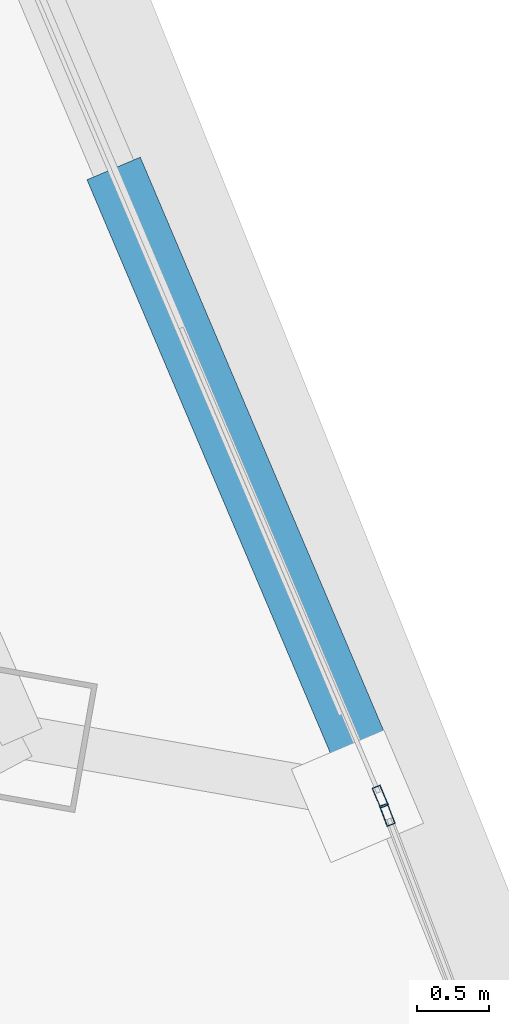
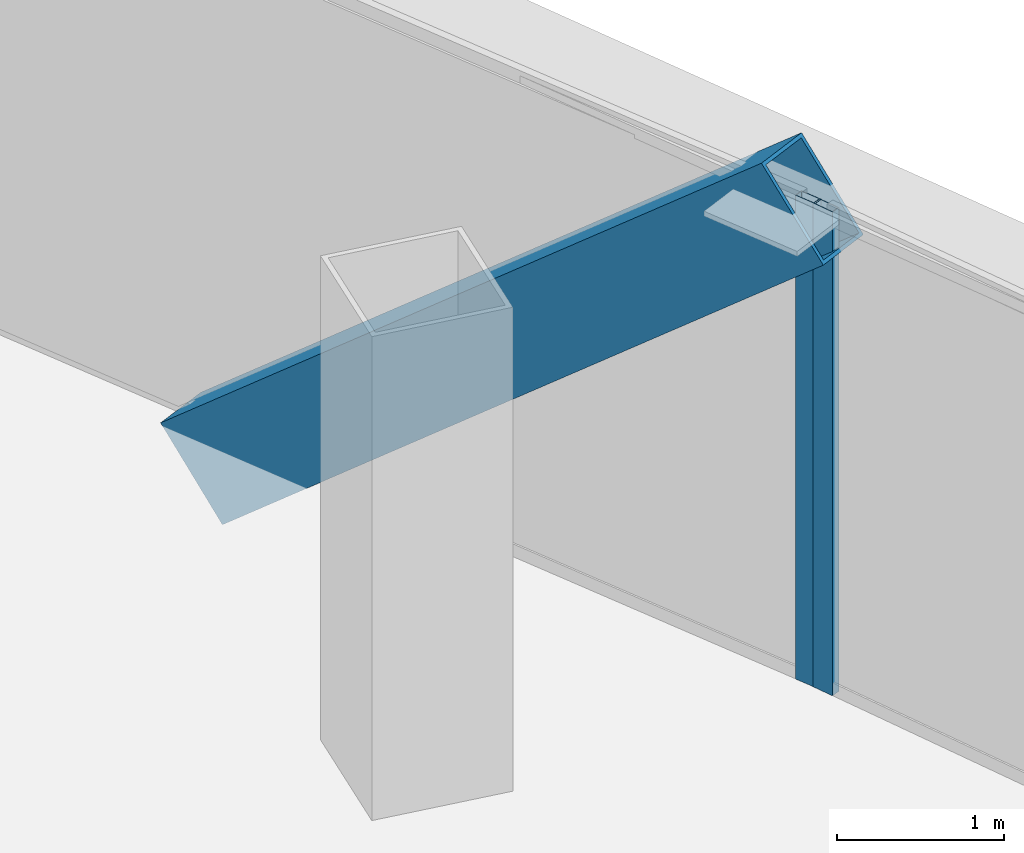
# One storey, part 25 of 40: 3 members, 2 elements without a shape of their own.
"""IFC4 building model written with IfcOpenShell, lengths in metres."""

from ifc_helpers import new_model, si_unit, direction, frame, origin, origin_2d, place, context, subcontext, project, spatial, hollow_rectangle, extrude, source, transform, mapped, material, layer, layer_set, material_profile, profile_set, type_object, element, aggregate, save


model = new_model("IFC4")

# Units and contexts
model_context = context("Model", 3, precision=1e-05, world=origin(), true_north=direction((0.0, 1.0)))
body_context = subcontext(model_context, "Body", "Model", "MODEL_VIEW")
ifc_project = project(units=[si_unit("LENGTHUNIT", "METRE"), si_unit("AREAUNIT", "SQUARE_METRE"), si_unit("VOLUMEUNIT", "CUBIC_METRE"), si_unit("PLANEANGLEUNIT", "RADIAN"), si_unit("MASSUNIT", "GRAM", prefix="KILO"), si_unit("THERMODYNAMICTEMPERATUREUNIT", "KELVIN"), si_unit("POWERUNIT", "WATT")], contexts=[model_context])

# Site, building, storey
site_placement = place(None, origin())
site = spatial("IfcSite", under=ifc_project, at=site_placement, CompositionType="ELEMENT")
building_placement = place(site_placement, origin())
building = spatial("IfcBuilding", under=site, at=building_placement, Name="Yunzhuo Pagoda Commons", CompositionType="ELEMENT")
storey_placement = place(building_placement, frame((0.0, 0.0, 188.56005859375)))
storey = spatial("IfcBuildingStorey", under=building, at=storey_placement, Name="L47", CompositionType="ELEMENT", Elevation=188.56005859375)

# Member
ifc_material_1 = material(Name="Structural steel Q355B", Category="steel")
ifc_material_profile_1 = material_profile(ifc_material_1, hollow_rectangle(XDim=0.39990234375, YDim=0.719970703125, WallThickness=0.02392578125, at=origin_2d()), Name="Structural steel Q355B")
ifc_profile_set_1 = profile_set([ifc_material_profile_1], Name="Structural steel Q355B")
member_type_1 = type_object("IfcMemberType", Name="M-DL2 Brace BOX 720x400x24", PredefinedType="BRACE", material=ifc_profile_set_1)
shared_shape_1 = source(origin(), body_context, "Body", "SweptSolid", [
    extrude(hollow_rectangle(XDim=0.39990234375, YDim=0.719970703125, WallThickness=0.02392578125, at=origin_2d()), origin(), (0.0, 0.0, 1.0), 5.89697265625),
])
member_1_placement = place(storey_placement, frame((83.930419921875, 31.20458984375, -0.260009765625), z_axis=(0.29878939994, -0.703895992486, 0.644403077464), x_axis=(0.920503311686, 0.390734760642, 0.0)))
element("IfcMember", 1, at=member_1_placement, inside=storey, type_object=member_type_1, Name="L47 facade diamond brace F2.1L", PredefinedType="BRACE", context=body_context, shape_type="MappedRepresentation", body=[
    mapped(shared_shape_1, transform((0.0, 0.0, 0.0), scale=1.0)),
])

# Curtain wall, member
ifc_material_2 = material(Name="Anodized aluminium 6063-T6", Category="aluminium")
ifc_layer = layer(ifc_material_2, 0.14990234375)
ifc_layer_set = layer_set([ifc_layer], Name="Anodized aluminium 6063-T6")
curtain_wall_type = type_object("IfcCurtainWallType", Name="CW-MID Mid-Zone Ribbon Curtain Wall", PredefinedType="NOTDEFINED", material=ifc_layer_set)
curtain_wall_1_placement = place(storey_placement, origin())
curtain_wall_1 = element("IfcCurtainWall", 2, at=curtain_wall_1_placement, inside=storey, type_object=curtain_wall_type, Name="L47 curtain wall CW-L47-F2B2", PredefinedType="NOTDEFINED")
ifc_material_profile_2 = material_profile(ifc_material_2, hollow_rectangle(XDim=0.06005859375, YDim=0.14990234375, WallThickness=0.00390625, at=origin_2d()), Name="Anodized aluminium 6063-T6")
ifc_profile_set_2 = profile_set([ifc_material_profile_2], Name="Anodized aluminium 6063-T6")
member_type_2 = type_object("IfcMemberType", Name="CW-MID-M Mullion RHS 150x60x4", PredefinedType="MULLION", material=ifc_profile_set_2)
shared_shape_2 = source(origin(), body_context, "Body", "SweptSolid", [
    extrude(hollow_rectangle(XDim=0.06005859375, YDim=0.14990234375, WallThickness=0.00390625, at=origin_2d()), origin(), (0.0, 0.0, 1.0), 3.5400390625),
])
member_2_placement = place(storey_placement, frame((85.6806640625, 27.081298828125, 0.0), z_axis=(0.0, 0.0, 1.0), x_axis=(-0.920515325194, -0.390706457693, 0.0)))
member_2 = element("IfcMember", 3, at=member_2_placement, type_object=member_type_2, Name="CW mullion 1", PredefinedType="MULLION", context=body_context, shape_type="MappedRepresentation", body=[
    mapped(shared_shape_2, transform((0.0, 0.0, 0.0), scale=1.0)),
])
aggregate(curtain_wall_1, [member_2])

curtain_wall_2_placement = place(storey_placement, origin())
curtain_wall_2 = element("IfcCurtainWall", 4, at=curtain_wall_2_placement, inside=storey, type_object=curtain_wall_type, Name="L47 curtain wall CW-L47-F2B1", PredefinedType="NOTDEFINED")
member_3_placement = place(storey_placement, frame((85.7294921875, 26.95556640625, 0.0), z_axis=(0.0, 0.0, 1.0), x_axis=(-0.935148483493, -0.354256000401, 0.0)))
member_3 = element("IfcMember", 5, at=member_3_placement, type_object=member_type_2, Name="CW mullion 2", PredefinedType="MULLION", context=body_context, shape_type="MappedRepresentation", body=[
    mapped(shared_shape_2, transform((0.0, 0.0, 0.0), scale=1.0)),
])
aggregate(curtain_wall_2, [member_3])

save(model, "model.ifc")
